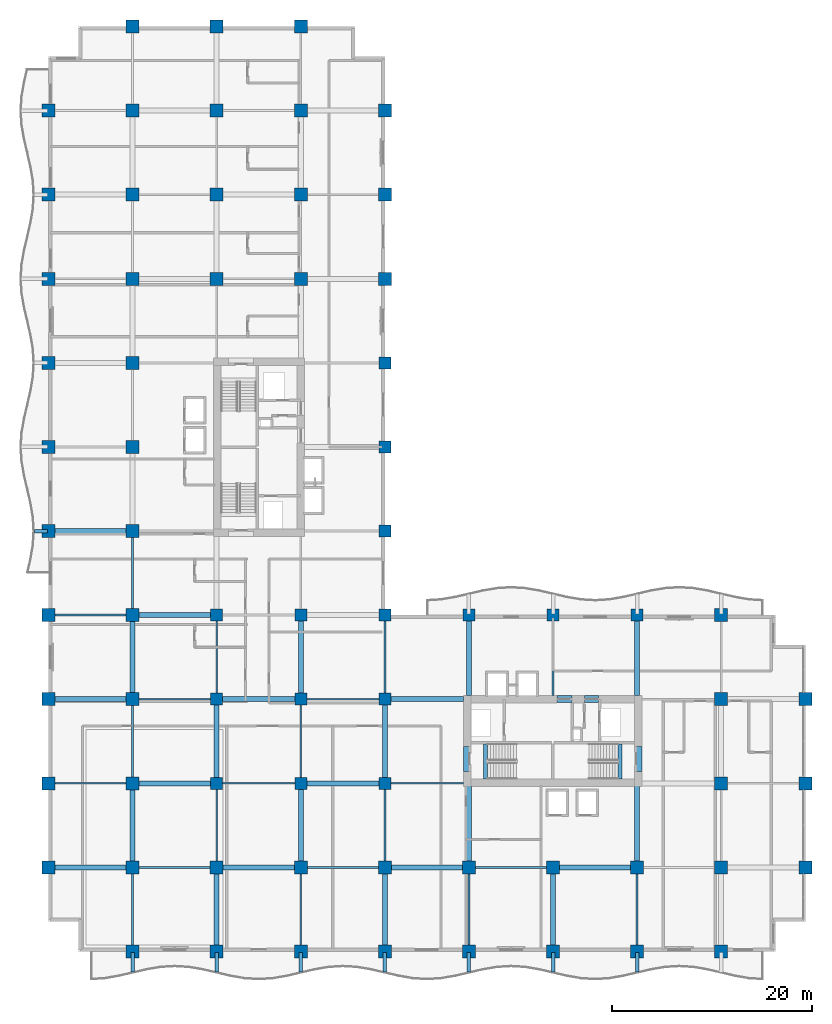
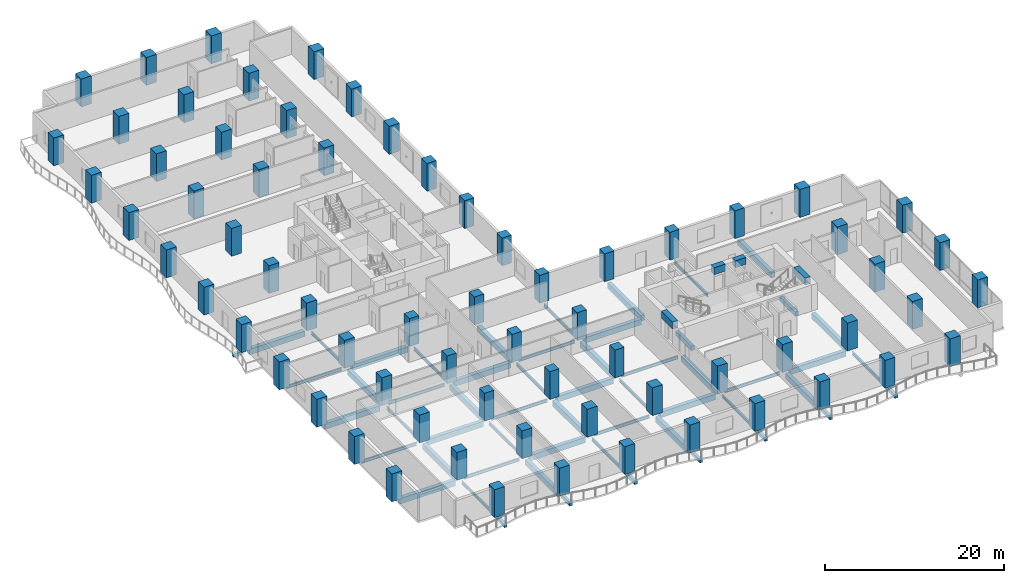
# One storey, part 1 of 24: 68 columns, 59 beams.
"""IFC4 building model written with IfcOpenShell, lengths in metres."""

from ifc_helpers import new_model, si_unit, direction, frame, origin, origin_2d, place, context, subcontext, project, spatial, rectangle, i_section, extrude, material, material_profile, profile_set, type_object, element, save


model = new_model("IFC4")

# Units and contexts
model_context = context("Model", 3, precision=1e-05, world=origin(), true_north=direction((0.0, 1.0)))
body_context = subcontext(model_context, "Body", "Model", "MODEL_VIEW")
ifc_project = project(units=[si_unit("LENGTHUNIT", "METRE"), si_unit("AREAUNIT", "SQUARE_METRE"), si_unit("VOLUMEUNIT", "CUBIC_METRE"), si_unit("PLANEANGLEUNIT", "RADIAN"), si_unit("MASSUNIT", "GRAM", prefix="KILO")], contexts=[model_context])

# Site, building, storey
site_placement = place(None, origin())
site = spatial("IfcSite", under=ifc_project, at=site_placement, CompositionType="ELEMENT")
building_placement = place(site_placement, origin())
building = spatial("IfcBuilding", under=site, at=building_placement, Name="Koriwani Terraces Tower", CompositionType="ELEMENT")
storey_placement = place(building_placement, frame((0.0, 0.0, 149.39990234375)))
storey = spatial("IfcBuildingStorey", under=building, at=storey_placement, Name="L36", CompositionType="ELEMENT", Elevation=149.39990234375)

# Columns
ifc_material_1 = material(Name="Concrete C60/75", Category="concrete")
ifc_material_profile_1 = material_profile(ifc_material_1, rectangle(XDim=1.199951171875, YDim=1.199951171875, at=origin_2d()), Name="Concrete C60/75", Category="LoadBearing")
ifc_profile_set_1 = profile_set([ifc_material_profile_1], Name="Concrete C60/75")
column_type_1 = type_object("IfcColumnType", Name="COL_RC_1200X1200", PredefinedType="COLUMN", material=ifc_profile_set_1)
for number, where, z_axis, x_axis, name in (
    (1, (16.800048828125, 16.800048828125, 0.0), (0.0, 0.0, 1.0), (1.0, 0.0, 0.0), "L36 Column 3/C"),
    (2, (16.800048828125, 25.199951171875, 0.0), (0.0, 0.0, 1.0), (1.0, 0.0, 0.0), "L36 Column 3/D"),
    (3, (16.800048828125, 33.60009765625, 0.0), (0.0, 0.0, 1.0), (1.0, 0.0, 0.0), "L36 Column 3/E"),
    (4, (25.199951171875, 16.800048828125, 0.0), (0.0, 0.0, 1.0), (1.0, 0.0, 0.0), "L36 Column 4/C"),
    (5, (25.199951171875, 25.199951171875, 0.0), (0.0, 0.0, 1.0), (1.0, 0.0, 0.0), "L36 Column 4/D"),
    (6, (25.199951171875, 33.60009765625, 0.0), (0.0, 0.0, 1.0), (1.0, 0.0, 0.0), "L36 Column 4/E"),
    (7, (33.60009765625, 16.800048828125, 0.0), (0.0, 0.0, 1.0), (1.0, 0.0, 0.0), "L36 Column 5/C"),
    (8, (33.60009765625, 25.199951171875, 0.0), (0.0, 0.0, 1.0), (1.0, 0.0, 0.0), "L36 Column 5/D"),
    (9, (33.60009765625, 33.60009765625, 0.0), (0.0, 0.0, 1.0), (1.0, 0.0, 0.0), "L36 Column 5/E"),
    (10, (33.60009765625, 42.0, 0.0), (0.0, 0.0, 1.0), (1.0, 0.0, 0.0), "L36 Column 5/F"),
    (11, (33.60009765625, 50.39990234375, 0.0), (0.0, 0.0, 1.0), (1.0, 0.0, 0.0), "L36 Column 5/G"),
    (12, (33.60009765625, 58.800048828125, 0.0), (0.0, 0.0, 1.0), (1.0, 0.0, 0.0), "L36 Column 5/H"),
    (13, (42.0, 33.60009765625, 0.0), (0.0, 0.0, 1.0), (1.0, 0.0, 0.0), "L36 Column 6/E"),
    (14, (50.39990234375, 33.60009765625, 0.0), (0.0, 0.0, 1.0), (1.0, 0.0, 0.0), "L36 Column 7/E"),
    (15, (58.800048828125, 33.60009765625, 0.0), (0.0, 0.0, 1.0), (1.0, 0.0, 0.0), "L36 Column 8/E"),
):
    element("IfcColumn", number, at=place(storey_placement, frame(where, z_axis=z_axis, x_axis=x_axis)), inside=storey, type_object=column_type_1, Name=name, PredefinedType="COLUMN", context=body_context, shape_type="SweptSolid", body=[
        extrude(rectangle(XDim=1.199951171875, YDim=1.199951171875, at=origin_2d()), origin(), (0.0, 0.0, 1.0), 3.800048828125),
    ])
ifc_material_profile_2 = material_profile(ifc_material_1, rectangle(XDim=1.300048828125, YDim=1.300048828125, at=origin_2d()), Name="Concrete C60/75", Category="LoadBearing")
ifc_profile_set_2 = profile_set([ifc_material_profile_2], Name="Concrete C60/75")
column_type_2 = type_object("IfcColumnType", Name="COL_RC_1300X1300", PredefinedType="COLUMN", material=ifc_profile_set_2)
for number, where, z_axis, x_axis, name in (
    (16, (0.0, 8.39990234375, 0.0), (0.0, 0.0, 1.0), (1.0, 0.0, 0.0), "L36 Column 1/B"),
    (17, (0.0, 16.800048828125, 0.0), (0.0, 0.0, 1.0), (1.0, 0.0, 0.0), "L36 Column 1/C"),
    (18, (0.0, 25.199951171875, 0.0), (0.0, 0.0, 1.0), (1.0, 0.0, 0.0), "L36 Column 1/D"),
    (19, (0.0, 33.60009765625, 0.0), (0.0, 0.0, 1.0), (1.0, 0.0, 0.0), "L36 Column 1/E"),
    (20, (0.0, 42.0, 0.0), (0.0, 0.0, 1.0), (1.0, 0.0, 0.0), "L36 Column 1/F"),
    (21, (0.0, 50.39990234375, 0.0), (0.0, 0.0, 1.0), (1.0, 0.0, 0.0), "L36 Column 1/G"),
    (22, (0.0, 58.800048828125, 0.0), (0.0, 0.0, 1.0), (1.0, 0.0, 0.0), "L36 Column 1/H"),
    (23, (0.0, 67.199951171875, 0.0), (0.0, 0.0, 1.0), (1.0, 0.0, 0.0), "L36 Column 1/I"),
    (24, (0.0, 75.60009765625, 0.0), (0.0, 0.0, 1.0), (1.0, 0.0, 0.0), "L36 Column 1/J"),
    (25, (0.0, 84.0, 0.0), (0.0, 0.0, 1.0), (1.0, 0.0, 0.0), "L36 Column 1/K"),
    (26, (8.39990234375, 0.0, 0.0), (0.0, 0.0, 1.0), (1.0, 0.0, 0.0), "L36 Column 2/A"),
    (27, (8.39990234375, 8.39990234375, 0.0), (0.0, 0.0, 1.0), (1.0, 0.0, 0.0), "L36 Column 2/B"),
    (28, (8.39990234375, 16.800048828125, 0.0), (0.0, 0.0, 1.0), (1.0, 0.0, 0.0), "L36 Column 2/C"),
    (29, (8.39990234375, 25.199951171875, 0.0), (0.0, 0.0, 1.0), (1.0, 0.0, 0.0), "L36 Column 2/D"),
    (30, (8.39990234375, 33.60009765625, 0.0), (0.0, 0.0, 1.0), (1.0, 0.0, 0.0), "L36 Column 2/E"),
    (31, (8.39990234375, 42.0, 0.0), (0.0, 0.0, 1.0), (1.0, 0.0, 0.0), "L36 Column 2/F"),
    (32, (8.39990234375, 50.39990234375, 0.0), (0.0, 0.0, 1.0), (1.0, 0.0, 0.0), "L36 Column 2/G"),
    (33, (8.39990234375, 58.800048828125, 0.0), (0.0, 0.0, 1.0), (1.0, 0.0, 0.0), "L36 Column 2/H"),
    (34, (8.39990234375, 67.199951171875, 0.0), (0.0, 0.0, 1.0), (1.0, 0.0, 0.0), "L36 Column 2/I"),
    (35, (8.39990234375, 75.60009765625, 0.0), (0.0, 0.0, 1.0), (1.0, 0.0, 0.0), "L36 Column 2/J"),
    (36, (8.39990234375, 84.0, 0.0), (0.0, 0.0, 1.0), (1.0, 0.0, 0.0), "L36 Column 2/K"),
    (37, (8.39990234375, 92.39990234375, 0.0), (0.0, 0.0, 1.0), (1.0, 0.0, 0.0), "L36 Column 2/L"),
    (38, (16.800048828125, 0.0, 0.0), (0.0, 0.0, 1.0), (1.0, 0.0, 0.0), "L36 Column 3/A"),
    (39, (16.800048828125, 8.39990234375, 0.0), (0.0, 0.0, 1.0), (1.0, 0.0, 0.0), "L36 Column 3/B"),
    (40, (16.800048828125, 67.199951171875, 0.0), (0.0, 0.0, 1.0), (1.0, 0.0, 0.0), "L36 Column 3/I"),
    (41, (16.800048828125, 75.60009765625, 0.0), (0.0, 0.0, 1.0), (1.0, 0.0, 0.0), "L36 Column 3/J"),
    (42, (16.800048828125, 84.0, 0.0), (0.0, 0.0, 1.0), (1.0, 0.0, 0.0), "L36 Column 3/K"),
    (43, (16.800048828125, 92.39990234375, 0.0), (0.0, 0.0, 1.0), (1.0, 0.0, 0.0), "L36 Column 3/L"),
    (44, (25.199951171875, 0.0, 0.0), (0.0, 0.0, 1.0), (1.0, 0.0, 0.0), "L36 Column 4/A"),
    (45, (25.199951171875, 8.39990234375, 0.0), (0.0, 0.0, 1.0), (1.0, 0.0, 0.0), "L36 Column 4/B"),
    (46, (25.199951171875, 67.199951171875, 0.0), (0.0, 0.0, 1.0), (1.0, 0.0, 0.0), "L36 Column 4/I"),
    (47, (25.199951171875, 75.60009765625, 0.0), (0.0, 0.0, 1.0), (1.0, 0.0, 0.0), "L36 Column 4/J"),
    (48, (25.199951171875, 84.0, 0.0), (0.0, 0.0, 1.0), (1.0, 0.0, 0.0), "L36 Column 4/K"),
    (49, (25.199951171875, 92.39990234375, 0.0), (0.0, 0.0, 1.0), (1.0, 0.0, 0.0), "L36 Column 4/L"),
    (50, (33.60009765625, 0.0, 0.0), (0.0, 0.0, 1.0), (1.0, 0.0, 0.0), "L36 Column 5/A"),
    (51, (33.60009765625, 8.39990234375, 0.0), (0.0, 0.0, 1.0), (1.0, 0.0, 0.0), "L36 Column 5/B"),
    (52, (33.60009765625, 67.199951171875, 0.0), (0.0, 0.0, 1.0), (1.0, 0.0, 0.0), "L36 Column 5/I"),
    (53, (33.60009765625, 75.60009765625, 0.0), (0.0, 0.0, 1.0), (1.0, 0.0, 0.0), "L36 Column 5/J"),
    (54, (33.60009765625, 84.0, 0.0), (0.0, 0.0, 1.0), (1.0, 0.0, 0.0), "L36 Column 5/K"),
    (55, (42.0, 0.0, 0.0), (0.0, 0.0, 1.0), (1.0, 0.0, 0.0), "L36 Column 6/A"),
    (56, (42.0, 8.39990234375, 0.0), (0.0, 0.0, 1.0), (1.0, 0.0, 0.0), "L36 Column 6/B"),
    (57, (50.39990234375, 0.0, 0.0), (0.0, 0.0, 1.0), (1.0, 0.0, 0.0), "L36 Column 7/A"),
    (58, (50.39990234375, 8.39990234375, 0.0), (0.0, 0.0, 1.0), (1.0, 0.0, 0.0), "L36 Column 7/B"),
    (59, (58.800048828125, 0.0, 0.0), (0.0, 0.0, 1.0), (1.0, 0.0, 0.0), "L36 Column 8/A"),
    (60, (58.800048828125, 8.39990234375, 0.0), (0.0, 0.0, 1.0), (1.0, 0.0, 0.0), "L36 Column 8/B"),
    (61, (67.199951171875, 0.0, 0.0), (0.0, 0.0, 1.0), (1.0, 0.0, 0.0), "L36 Column 9/A"),
    (62, (67.199951171875, 8.39990234375, 0.0), (0.0, 0.0, 1.0), (1.0, 0.0, 0.0), "L36 Column 9/B"),
    (63, (67.199951171875, 16.800048828125, 0.0), (0.0, 0.0, 1.0), (1.0, 0.0, 0.0), "L36 Column 9/C"),
    (64, (67.199951171875, 25.199951171875, 0.0), (0.0, 0.0, 1.0), (1.0, 0.0, 0.0), "L36 Column 9/D"),
    (65, (67.199951171875, 33.60009765625, 0.0), (0.0, 0.0, 1.0), (1.0, 0.0, 0.0), "L36 Column 9/E"),
    (66, (75.60009765625, 8.39990234375, 0.0), (0.0, 0.0, 1.0), (1.0, 0.0, 0.0), "L36 Column 10/B"),
    (67, (75.60009765625, 16.800048828125, 0.0), (0.0, 0.0, 1.0), (1.0, 0.0, 0.0), "L36 Column 10/C"),
    (68, (75.60009765625, 25.199951171875, 0.0), (0.0, 0.0, 1.0), (1.0, 0.0, 0.0), "L36 Column 10/D"),
):
    element("IfcColumn", number, at=place(storey_placement, frame(where, z_axis=z_axis, x_axis=x_axis)), inside=storey, type_object=column_type_2, Name=name, PredefinedType="COLUMN", context=body_context, shape_type="SweptSolid", body=[
        extrude(rectangle(XDim=1.300048828125, YDim=1.300048828125, at=origin_2d()), origin(), (0.0, 0.0, 1.0), 3.800048828125),
    ])

# Beams
ifc_material_2 = material(Name="Concrete C40/50", Category="concrete")
ifc_material_profile_3 = material_profile(ifc_material_2, rectangle(XDim=0.35009765625, YDim=0.449951171875, at=origin_2d()), Name="Concrete C40/50", Category="LoadBearing")
ifc_profile_set_3 = profile_set([ifc_material_profile_3], Name="Concrete C40/50")
beam_type_1 = type_object("IfcBeamType", Name="BEAM_RC_BALCONY_RIB_350X450", PredefinedType="JOIST", material=ifc_profile_set_3)
for number, where, z_axis, x_axis, name in (
    (69, (8.39990234375, -2.050048828125, -0.474853515625), (0.0, 1.0, 0.0), (-1.0, 0.0, 0.0), "L36 Balcony Bracket Rib S-1"),
    (70, (16.800048828125, -2.050048828125, -0.474853515625), (0.0, 1.0, 0.0), (-1.0, 0.0, 0.0), "L36 Balcony Bracket Rib S-2"),
    (71, (25.199951171875, -2.050048828125, -0.474853515625), (0.0, 1.0, 0.0), (-1.0, 0.0, 0.0), "L36 Balcony Bracket Rib S-3"),
    (72, (33.60009765625, -2.050048828125, -0.474853515625), (0.0, 1.0, 0.0), (-1.0, 0.0, 0.0), "L36 Balcony Bracket Rib S-4"),
    (73, (42.0, -2.050048828125, -0.474853515625), (0.0, 1.0, 0.0), (-1.0, 0.0, 0.0), "L36 Balcony Bracket Rib S-5"),
    (74, (50.39990234375, -2.050048828125, -0.474853515625), (0.0, 1.0, 0.0), (-1.0, 0.0, 0.0), "L36 Balcony Bracket Rib S-6"),
    (75, (58.800048828125, -2.050048828125, -0.474853515625), (0.0, 1.0, 0.0), (-1.0, 0.0, 0.0), "L36 Balcony Bracket Rib S-7"),
):
    element("IfcBeam", number, at=place(storey_placement, frame(where, z_axis=z_axis, x_axis=x_axis)), inside=storey, type_object=beam_type_1, Name=name, PredefinedType="JOIST", context=body_context, shape_type="SweptSolid", body=[
        extrude(rectangle(XDim=0.35009765625, YDim=0.449951171875, at=origin_2d()), origin(), (0.0, 0.0, 1.0), 1.949951171875),
    ])
beam_1_placement = place(storey_placement, frame((-1.39990234375, 42.0, -0.474853515625), z_axis=(1.0, 0.0, 0.0), x_axis=(0.0, 1.0, 0.0)))
element("IfcBeam", 76, at=beam_1_placement, inside=storey, type_object=beam_type_1, Name="L36 Balcony Bracket Rib W-1", PredefinedType="JOIST", context=body_context, shape_type="SweptSolid", body=[
    extrude(rectangle(XDim=0.35009765625, YDim=0.449951171875, at=origin_2d()), origin(), (0.0, 0.0, 1.0), 1.2998046875),
])
ifc_material_profile_4 = material_profile(ifc_material_1, rectangle(XDim=0.699951171875, YDim=0.949951171875, at=origin_2d()), Name="Concrete C60/75", Category="LoadBearing")
ifc_profile_set_4 = profile_set([ifc_material_profile_4], Name="Concrete C60/75")
beam_type_2 = type_object("IfcBeamType", Name="BEAM_RC_COUPLING_700X950", PredefinedType="LINTEL", material=ifc_profile_set_4)
beam_2_placement = place(storey_placement, frame((50.800048828125, 25.199951171875, 3.0751953125), z_axis=(1.0, 0.0, 0.0), x_axis=(0.0, 1.0, 0.0)))
element("IfcBeam", 77, at=beam_2_placement, inside=storey, type_object=beam_type_2, Name="L36 Core Coupling Lintel Beam EN1", PredefinedType="LINTEL", context=body_context, shape_type="SweptSolid", body=[
    extrude(rectangle(XDim=0.699951171875, YDim=0.949951171875, at=origin_2d()), origin(), (0.0, 0.0, 1.0), 1.47998046875),
])
beam_3_placement = place(storey_placement, frame((53.550048828125, 25.199951171875, 3.0751953125), z_axis=(1.0, 0.0, 0.0), x_axis=(0.0, 1.0, 0.0)))
element("IfcBeam", 78, at=beam_3_placement, inside=storey, type_object=beam_type_2, Name="L36 Core Coupling Lintel Beam EN2", PredefinedType="LINTEL", context=body_context, shape_type="SweptSolid", body=[
    extrude(rectangle(XDim=0.699951171875, YDim=0.949951171875, at=origin_2d()), origin(), (0.0, 0.0, 1.0), 1.39990234375),
])
for number, where, z_axis, x_axis, name in (
    (79, (41.824951171875, 18.0, 3.0751953125), (0.0, 1.0, 0.0), (-1.0, 0.0, 0.0), "L36 Core Coupling Lintel Beam EW"),
    (80, (58.925048828125, 18.0, 3.0751953125), (0.0, 1.0, 0.0), (-1.0, 0.0, 0.0), "L36 Core Coupling Lintel Beam EE"),
):
    element("IfcBeam", number, at=place(storey_placement, frame(where, z_axis=z_axis, x_axis=x_axis)), inside=storey, type_object=beam_type_2, Name=name, PredefinedType="LINTEL", context=body_context, shape_type="SweptSolid", body=[
        extrude(rectangle(XDim=0.699951171875, YDim=0.949951171875, at=origin_2d()), origin(), (0.0, 0.0, 1.0), 2.5),
    ])
ifc_material_profile_5 = material_profile(ifc_material_2, rectangle(XDim=0.39990234375, YDim=0.60009765625, at=origin_2d()), Name="Concrete C40/50", Category="LoadBearing")
ifc_profile_set_5 = profile_set([ifc_material_profile_5], Name="Concrete C40/50")
beam_type_3 = type_object("IfcBeamType", Name="BEAM_RC_GRID_400X600", PredefinedType="BEAM", material=ifc_profile_set_5)
for number, where, z_axis, x_axis, name in (
    (81, (43.655029296875, 17.25, -0.2998046875), (0.0, 1.0, 0.0), (-1.0, 0.0, 0.0), "L36 Stairwell Header Trimmer Beam ST-E1"),
    (82, (57.094970703125, 17.25, -0.2998046875), (0.0, 1.0, 0.0), (-1.0, 0.0, 0.0), "L36 Stairwell Header Trimmer Beam ST-E2"),
):
    element("IfcBeam", number, at=place(storey_placement, frame(where, z_axis=z_axis, x_axis=x_axis)), inside=storey, type_object=beam_type_3, Name=name, PredefinedType="BEAM", context=body_context, shape_type="SweptSolid", body=[
        extrude(rectangle(XDim=0.39990234375, YDim=0.60009765625, at=origin_2d()), origin(), (0.0, 0.0, 1.0), 3.5),
    ])
ifc_material_3 = material(Name="Concrete C50/60", Category="concrete")
ifc_material_profile_6 = material_profile(ifc_material_3, rectangle(XDim=0.5, YDim=0.75, at=origin_2d()), Name="Concrete C50/60", Category="LoadBearing")
ifc_profile_set_6 = profile_set([ifc_material_profile_6], Name="Concrete C50/60")
beam_type_4 = type_object("IfcBeamType", Name="BEAM_RC_GRID_500X750", PredefinedType="BEAM", material=ifc_profile_set_6)
for number, where, z_axis, x_axis, name in (
    (83, (0.6298828125, 8.39990234375, -0.625), (1.0, 0.0, 0.0), (0.0, 1.0, 0.0), "L36 Grid Beam B (0.0-8.4m)"),
    (84, (17.429931640625, 8.39990234375, -0.625), (1.0, 0.0, 0.0), (0.0, 1.0, 0.0), "L36 Grid Beam B (16.8-25.2m)"),
    (85, (34.22998046875, 8.39990234375, -0.625), (1.0, 0.0, 0.0), (0.0, 1.0, 0.0), "L36 Grid Beam B (33.6-42.0m)"),
):
    element("IfcBeam", number, at=place(storey_placement, frame(where, z_axis=z_axis, x_axis=x_axis)), inside=storey, type_object=beam_type_4, Name=name, PredefinedType="BEAM", context=body_context, shape_type="SweptSolid", body=[
        extrude(rectangle(XDim=0.5, YDim=0.75, at=origin_2d()), origin(), (0.0, 0.0, 1.0), 7.14013671875),
    ])
beam_4_placement = place(storey_placement, frame((51.030029296875, 8.39990234375, -0.625), z_axis=(1.0, 0.0, 0.0), x_axis=(0.0, 1.0, 0.0)))
element("IfcBeam", 86, at=beam_4_placement, inside=storey, type_object=beam_type_4, Name="L36 Grid Beam B (50.4-58.8m)", PredefinedType="BEAM", context=body_context, shape_type="SweptSolid", body=[
    extrude(rectangle(XDim=0.5, YDim=0.75, at=origin_2d()), origin(), (0.0, 0.0, 1.0), 7.139892578125),
])
beam_5_placement = place(storey_placement, frame((9.030029296875, 16.800048828125, -0.625), z_axis=(1.0, 0.0, 0.0), x_axis=(0.0, 1.0, 0.0)))
element("IfcBeam", 87, at=beam_5_placement, inside=storey, type_object=beam_type_4, Name="L36 Grid Beam C (8.4-16.8m)", PredefinedType="BEAM", context=body_context, shape_type="SweptSolid", body=[
    extrude(rectangle(XDim=0.5, YDim=0.75, at=origin_2d()), origin(), (0.0, 0.0, 1.0), 7.18994140625),
])
beam_6_placement = place(storey_placement, frame((25.780029296875, 16.800048828125, -0.625), z_axis=(1.0, 0.0, 0.0), x_axis=(0.0, 1.0, 0.0)))
element("IfcBeam", 88, at=beam_6_placement, inside=storey, type_object=beam_type_4, Name="L36 Grid Beam C (25.2-33.6m)", PredefinedType="BEAM", context=body_context, shape_type="SweptSolid", body=[
    extrude(rectangle(XDim=0.5, YDim=0.75, at=origin_2d()), origin(), (0.0, 0.0, 1.0), 7.239990234375),
])
beam_7_placement = place(storey_placement, frame((0.6298828125, 25.199951171875, -0.625), z_axis=(1.0, 0.0, 0.0), x_axis=(0.0, 1.0, 0.0)))
element("IfcBeam", 89, at=beam_7_placement, inside=storey, type_object=beam_type_4, Name="L36 Grid Beam D (0.0-8.4m)", PredefinedType="BEAM", context=body_context, shape_type="SweptSolid", body=[
    extrude(rectangle(XDim=0.5, YDim=0.75, at=origin_2d()), origin(), (0.0, 0.0, 1.0), 7.14013671875),
])
beam_8_placement = place(storey_placement, frame((17.3798828125, 25.199951171875, -0.625), z_axis=(1.0, 0.0, 0.0), x_axis=(0.0, 1.0, 0.0)))
element("IfcBeam", 90, at=beam_8_placement, inside=storey, type_object=beam_type_4, Name="L36 Grid Beam D (16.8-25.2m)", PredefinedType="BEAM", context=body_context, shape_type="SweptSolid", body=[
    extrude(rectangle(XDim=0.5, YDim=0.75, at=origin_2d()), origin(), (0.0, 0.0, 1.0), 7.240234375),
])
beam_9_placement = place(storey_placement, frame((34.179931640625, 25.199951171875, -0.625), z_axis=(1.0, 0.0, 0.0), x_axis=(0.0, 1.0, 0.0)))
element("IfcBeam", 91, at=beam_9_placement, inside=storey, type_object=beam_type_4, Name="L36 Grid Beam D (33.6-42.0m)", PredefinedType="BEAM", context=body_context, shape_type="SweptSolid", body=[
    extrude(rectangle(XDim=0.5, YDim=0.75, at=origin_2d()), origin(), (0.0, 0.0, 1.0), 7.2900390625),
])
beam_10_placement = place(storey_placement, frame((9.030029296875, 33.60009765625, -0.625), z_axis=(1.0, 0.0, 0.0), x_axis=(0.0, 1.0, 0.0)))
element("IfcBeam", 92, at=beam_10_placement, inside=storey, type_object=beam_type_4, Name="L36 Grid Beam E (8.4-16.8m)", PredefinedType="BEAM", context=body_context, shape_type="SweptSolid", body=[
    extrude(rectangle(XDim=0.5, YDim=0.75, at=origin_2d()), origin(), (0.0, 0.0, 1.0), 7.18994140625),
])
beam_11_placement = place(storey_placement, frame((0.6298828125, 42.0, -0.625), z_axis=(1.0, 0.0, 0.0), x_axis=(0.0, 1.0, 0.0)))
element("IfcBeam", 93, at=beam_11_placement, inside=storey, type_object=beam_type_4, Name="L36 Grid Beam F (0.0-8.4m)", PredefinedType="BEAM", context=body_context, shape_type="SweptSolid", body=[
    extrude(rectangle(XDim=0.5, YDim=0.75, at=origin_2d()), origin(), (0.0, 0.0, 1.0), 7.14013671875),
])
for number, where, z_axis, x_axis, name in (
    (94, (8.39990234375, 9.030029296875, -0.625), (0.0, 1.0, 0.0), (-1.0, 0.0, 0.0), "L36 Grid Beam 2 (8.4-16.8m)"),
    (95, (8.39990234375, 25.830078125, -0.625), (0.0, 1.0, 0.0), (-1.0, 0.0, 0.0), "L36 Grid Beam 2 (25.2-33.6m)"),
):
    element("IfcBeam", number, at=place(storey_placement, frame(where, z_axis=z_axis, x_axis=x_axis)), inside=storey, type_object=beam_type_4, Name=name, PredefinedType="BEAM", context=body_context, shape_type="SweptSolid", body=[
        extrude(rectangle(XDim=0.5, YDim=0.75, at=origin_2d()), origin(), (0.0, 0.0, 1.0), 7.139892578125),
    ])
beam_12_placement = place(storey_placement, frame((16.800048828125, 0.6298828125, -0.625), z_axis=(0.0, 1.0, 0.0), x_axis=(-1.0, 0.0, 0.0)))
element("IfcBeam", 96, at=beam_12_placement, inside=storey, type_object=beam_type_4, Name="L36 Grid Beam 3 (0.0-8.4m)", PredefinedType="BEAM", context=body_context, shape_type="SweptSolid", body=[
    extrude(rectangle(XDim=0.5, YDim=0.75, at=origin_2d()), origin(), (0.0, 0.0, 1.0), 7.14013671875),
])
beam_13_placement = place(storey_placement, frame((16.800048828125, 17.3798828125, -0.625), z_axis=(0.0, 1.0, 0.0), x_axis=(-1.0, 0.0, 0.0)))
element("IfcBeam", 97, at=beam_13_placement, inside=storey, type_object=beam_type_4, Name="L36 Grid Beam 3 (16.8-25.2m)", PredefinedType="BEAM", context=body_context, shape_type="SweptSolid", body=[
    extrude(rectangle(XDim=0.5, YDim=0.75, at=origin_2d()), origin(), (0.0, 0.0, 1.0), 7.240234375),
])
beam_14_placement = place(storey_placement, frame((25.199951171875, 9.030029296875, -0.625), z_axis=(0.0, 1.0, 0.0), x_axis=(-1.0, 0.0, 0.0)))
element("IfcBeam", 98, at=beam_14_placement, inside=storey, type_object=beam_type_4, Name="L36 Grid Beam 4 (8.4-16.8m)", PredefinedType="BEAM", context=body_context, shape_type="SweptSolid", body=[
    extrude(rectangle(XDim=0.5, YDim=0.75, at=origin_2d()), origin(), (0.0, 0.0, 1.0), 7.18994140625),
])
beam_15_placement = place(storey_placement, frame((25.199951171875, 25.780029296875, -0.625), z_axis=(0.0, 1.0, 0.0), x_axis=(-1.0, 0.0, 0.0)))
element("IfcBeam", 99, at=beam_15_placement, inside=storey, type_object=beam_type_4, Name="L36 Grid Beam 4 (25.2-33.6m)", PredefinedType="BEAM", context=body_context, shape_type="SweptSolid", body=[
    extrude(rectangle(XDim=0.5, YDim=0.75, at=origin_2d()), origin(), (0.0, 0.0, 1.0), 7.239990234375),
])
beam_16_placement = place(storey_placement, frame((33.60009765625, 0.6298828125, -0.625), z_axis=(0.0, 1.0, 0.0), x_axis=(-1.0, 0.0, 0.0)))
element("IfcBeam", 100, at=beam_16_placement, inside=storey, type_object=beam_type_4, Name="L36 Grid Beam 5 (0.0-8.4m)", PredefinedType="BEAM", context=body_context, shape_type="SweptSolid", body=[
    extrude(rectangle(XDim=0.5, YDim=0.75, at=origin_2d()), origin(), (0.0, 0.0, 1.0), 7.14013671875),
])
beam_17_placement = place(storey_placement, frame((33.60009765625, 17.3798828125, -0.625), z_axis=(0.0, 1.0, 0.0), x_axis=(-1.0, 0.0, 0.0)))
element("IfcBeam", 101, at=beam_17_placement, inside=storey, type_object=beam_type_4, Name="L36 Grid Beam 5 (16.8-25.2m)", PredefinedType="BEAM", context=body_context, shape_type="SweptSolid", body=[
    extrude(rectangle(XDim=0.5, YDim=0.75, at=origin_2d()), origin(), (0.0, 0.0, 1.0), 7.240234375),
])
beam_18_placement = place(storey_placement, frame((42.0, 9.030029296875, -0.625), z_axis=(0.0, 1.0, 0.0), x_axis=(-1.0, 0.0, 0.0)))
element("IfcBeam", 102, at=beam_18_placement, inside=storey, type_object=beam_type_4, Name="L36 Grid Beam 6 (8.4-16.8m)", PredefinedType="BEAM", context=body_context, shape_type="SweptSolid", body=[
    extrude(rectangle(XDim=0.5, YDim=0.75, at=origin_2d()), origin(), (0.0, 0.0, 1.0), 7.489990234375),
])
beam_19_placement = place(storey_placement, frame((42.0, 25.554931640625, -0.625), z_axis=(0.0, 1.0, 0.0), x_axis=(-1.0, 0.0, 0.0)))
element("IfcBeam", 103, at=beam_19_placement, inside=storey, type_object=beam_type_4, Name="L36 Grid Beam 6 (25.2-33.6m)", PredefinedType="BEAM", context=body_context, shape_type="SweptSolid", body=[
    extrude(rectangle(XDim=0.5, YDim=0.75, at=origin_2d()), origin(), (0.0, 0.0, 1.0), 7.465087890625),
])
beam_20_placement = place(storey_placement, frame((50.39990234375, 0.6298828125, -0.625), z_axis=(0.0, 1.0, 0.0), x_axis=(-1.0, 0.0, 0.0)))
element("IfcBeam", 104, at=beam_20_placement, inside=storey, type_object=beam_type_4, Name="L36 Grid Beam 7 (0.0-8.4m)", PredefinedType="BEAM", context=body_context, shape_type="SweptSolid", body=[
    extrude(rectangle(XDim=0.5, YDim=0.75, at=origin_2d()), origin(), (0.0, 0.0, 1.0), 7.14013671875),
])
beam_21_placement = place(storey_placement, frame((58.800048828125, 9.030029296875, -0.625), z_axis=(0.0, 1.0, 0.0), x_axis=(-1.0, 0.0, 0.0)))
element("IfcBeam", 105, at=beam_21_placement, inside=storey, type_object=beam_type_4, Name="L36 Grid Beam 8 (8.4-16.8m)", PredefinedType="BEAM", context=body_context, shape_type="SweptSolid", body=[
    extrude(rectangle(XDim=0.5, YDim=0.75, at=origin_2d()), origin(), (0.0, 0.0, 1.0), 7.489990234375),
])
beam_22_placement = place(storey_placement, frame((58.800048828125, 25.554931640625, -0.625), z_axis=(0.0, 1.0, 0.0), x_axis=(-1.0, 0.0, 0.0)))
element("IfcBeam", 106, at=beam_22_placement, inside=storey, type_object=beam_type_4, Name="L36 Grid Beam 8 (25.2-33.6m)", PredefinedType="BEAM", context=body_context, shape_type="SweptSolid", body=[
    extrude(rectangle(XDim=0.5, YDim=0.75, at=origin_2d()), origin(), (0.0, 0.0, 1.0), 7.465087890625),
])
ifc_material_4 = material(Name="Steel ASTM A572 Grade 50", Category="steel")
ifc_material_profile_7 = material_profile(ifc_material_4, i_section(OverallWidth=0.180908203125, OverallDepth=0.4169921875, WebThickness=0.010986328125, FlangeThickness=0.018310546875, at=origin_2d()), Name="Steel ASTM A572 Grade 50", Category="LoadBearing")
ifc_profile_set_7 = profile_set([ifc_material_profile_7], Name="Steel ASTM A572 Grade 50")
beam_type_5 = type_object("IfcBeamType", Name="STEEL_BEAM_W410X85", PredefinedType="JOIST", material=ifc_profile_set_7)
for number, where, z_axis, x_axis, name in (
    (107, (9.030029296875, 8.39990234375, -0.45849609375), (1.0, 0.0, 0.0), (0.0, 1.0, 0.0), "L36 Grid Beam B (8.4-16.8m)"),
    (108, (25.830078125, 8.39990234375, -0.45849609375), (1.0, 0.0, 0.0), (0.0, 1.0, 0.0), "L36 Grid Beam B (25.2-33.6m)"),
):
    element("IfcBeam", number, at=place(storey_placement, frame(where, z_axis=z_axis, x_axis=x_axis)), inside=storey, type_object=beam_type_5, Name=name, PredefinedType="JOIST", context=body_context, shape_type="SweptSolid", body=[
        extrude(i_section(OverallWidth=0.180908203125, OverallDepth=0.4169921875, WebThickness=0.010986328125, FlangeThickness=0.018310546875, at=origin_2d()), origin(), (0.0, 0.0, 1.0), 7.139892578125),
    ])
for number, where, z_axis, x_axis, name in (
    (109, (42.6298828125, 8.39990234375, -0.45849609375), (1.0, 0.0, 0.0), (0.0, 1.0, 0.0), "L36 Grid Beam B (42.0-50.4m)"),
    (110, (0.6298828125, 16.800048828125, -0.45849609375), (1.0, 0.0, 0.0), (0.0, 1.0, 0.0), "L36 Grid Beam C (0.0-8.4m)"),
):
    element("IfcBeam", number, at=place(storey_placement, frame(where, z_axis=z_axis, x_axis=x_axis)), inside=storey, type_object=beam_type_5, Name=name, PredefinedType="JOIST", context=body_context, shape_type="SweptSolid", body=[
        extrude(i_section(OverallWidth=0.180908203125, OverallDepth=0.4169921875, WebThickness=0.010986328125, FlangeThickness=0.018310546875, at=origin_2d()), origin(), (0.0, 0.0, 1.0), 7.14013671875),
    ])
beam_23_placement = place(storey_placement, frame((17.3798828125, 16.800048828125, -0.45849609375), z_axis=(1.0, 0.0, 0.0), x_axis=(0.0, 1.0, 0.0)))
element("IfcBeam", 111, at=beam_23_placement, inside=storey, type_object=beam_type_5, Name="L36 Grid Beam C (16.8-25.2m)", PredefinedType="JOIST", context=body_context, shape_type="SweptSolid", body=[
    extrude(i_section(OverallWidth=0.180908203125, OverallDepth=0.4169921875, WebThickness=0.010986328125, FlangeThickness=0.018310546875, at=origin_2d()), origin(), (0.0, 0.0, 1.0), 7.240234375),
])
beam_24_placement = place(storey_placement, frame((34.179931640625, 16.800048828125, -0.45849609375), z_axis=(1.0, 0.0, 0.0), x_axis=(0.0, 1.0, 0.0)))
element("IfcBeam", 112, at=beam_24_placement, inside=storey, type_object=beam_type_5, Name="L36 Grid Beam C (33.6-42.0m)", PredefinedType="JOIST", context=body_context, shape_type="SweptSolid", body=[
    extrude(i_section(OverallWidth=0.180908203125, OverallDepth=0.4169921875, WebThickness=0.010986328125, FlangeThickness=0.018310546875, at=origin_2d()), origin(), (0.0, 0.0, 1.0), 7.2900390625),
])
beam_25_placement = place(storey_placement, frame((9.030029296875, 25.199951171875, -0.45849609375), z_axis=(1.0, 0.0, 0.0), x_axis=(0.0, 1.0, 0.0)))
element("IfcBeam", 113, at=beam_25_placement, inside=storey, type_object=beam_type_5, Name="L36 Grid Beam D (8.4-16.8m)", PredefinedType="JOIST", context=body_context, shape_type="SweptSolid", body=[
    extrude(i_section(OverallWidth=0.180908203125, OverallDepth=0.4169921875, WebThickness=0.010986328125, FlangeThickness=0.018310546875, at=origin_2d()), origin(), (0.0, 0.0, 1.0), 7.18994140625),
])
beam_26_placement = place(storey_placement, frame((25.780029296875, 25.199951171875, -0.45849609375), z_axis=(1.0, 0.0, 0.0), x_axis=(0.0, 1.0, 0.0)))
element("IfcBeam", 114, at=beam_26_placement, inside=storey, type_object=beam_type_5, Name="L36 Grid Beam D (25.2-33.6m)", PredefinedType="JOIST", context=body_context, shape_type="SweptSolid", body=[
    extrude(i_section(OverallWidth=0.180908203125, OverallDepth=0.4169921875, WebThickness=0.010986328125, FlangeThickness=0.018310546875, at=origin_2d()), origin(), (0.0, 0.0, 1.0), 7.239990234375),
])
for number, where, z_axis, x_axis, name in (
    (115, (0.6298828125, 33.60009765625, -0.45849609375), (1.0, 0.0, 0.0), (0.0, 1.0, 0.0), "L36 Grid Beam E (0.0-8.4m)"),
    (116, (8.39990234375, 0.6298828125, -0.45849609375), (0.0, 1.0, 0.0), (-1.0, 0.0, 0.0), "L36 Grid Beam 2 (0.0-8.4m)"),
    (117, (8.39990234375, 17.429931640625, -0.45849609375), (0.0, 1.0, 0.0), (-1.0, 0.0, 0.0), "L36 Grid Beam 2 (16.8-25.2m)"),
    (118, (8.39990234375, 34.22998046875, -0.45849609375), (0.0, 1.0, 0.0), (-1.0, 0.0, 0.0), "L36 Grid Beam 2 (33.6-42.0m)"),
):
    element("IfcBeam", number, at=place(storey_placement, frame(where, z_axis=z_axis, x_axis=x_axis)), inside=storey, type_object=beam_type_5, Name=name, PredefinedType="JOIST", context=body_context, shape_type="SweptSolid", body=[
        extrude(i_section(OverallWidth=0.180908203125, OverallDepth=0.4169921875, WebThickness=0.010986328125, FlangeThickness=0.018310546875, at=origin_2d()), origin(), (0.0, 0.0, 1.0), 7.14013671875),
    ])
beam_27_placement = place(storey_placement, frame((16.800048828125, 9.030029296875, -0.45849609375), z_axis=(0.0, 1.0, 0.0), x_axis=(-1.0, 0.0, 0.0)))
element("IfcBeam", 119, at=beam_27_placement, inside=storey, type_object=beam_type_5, Name="L36 Grid Beam 3 (8.4-16.8m)", PredefinedType="JOIST", context=body_context, shape_type="SweptSolid", body=[
    extrude(i_section(OverallWidth=0.180908203125, OverallDepth=0.4169921875, WebThickness=0.010986328125, FlangeThickness=0.018310546875, at=origin_2d()), origin(), (0.0, 0.0, 1.0), 7.18994140625),
])
beam_28_placement = place(storey_placement, frame((16.800048828125, 25.780029296875, -0.45849609375), z_axis=(0.0, 1.0, 0.0), x_axis=(-1.0, 0.0, 0.0)))
element("IfcBeam", 120, at=beam_28_placement, inside=storey, type_object=beam_type_5, Name="L36 Grid Beam 3 (25.2-33.6m)", PredefinedType="JOIST", context=body_context, shape_type="SweptSolid", body=[
    extrude(i_section(OverallWidth=0.180908203125, OverallDepth=0.4169921875, WebThickness=0.010986328125, FlangeThickness=0.018310546875, at=origin_2d()), origin(), (0.0, 0.0, 1.0), 7.239990234375),
])
beam_29_placement = place(storey_placement, frame((25.199951171875, 0.6298828125, -0.45849609375), z_axis=(0.0, 1.0, 0.0), x_axis=(-1.0, 0.0, 0.0)))
element("IfcBeam", 121, at=beam_29_placement, inside=storey, type_object=beam_type_5, Name="L36 Grid Beam 4 (0.0-8.4m)", PredefinedType="JOIST", context=body_context, shape_type="SweptSolid", body=[
    extrude(i_section(OverallWidth=0.180908203125, OverallDepth=0.4169921875, WebThickness=0.010986328125, FlangeThickness=0.018310546875, at=origin_2d()), origin(), (0.0, 0.0, 1.0), 7.14013671875),
])
beam_30_placement = place(storey_placement, frame((25.199951171875, 17.3798828125, -0.45849609375), z_axis=(0.0, 1.0, 0.0), x_axis=(-1.0, 0.0, 0.0)))
element("IfcBeam", 122, at=beam_30_placement, inside=storey, type_object=beam_type_5, Name="L36 Grid Beam 4 (16.8-25.2m)", PredefinedType="JOIST", context=body_context, shape_type="SweptSolid", body=[
    extrude(i_section(OverallWidth=0.180908203125, OverallDepth=0.4169921875, WebThickness=0.010986328125, FlangeThickness=0.018310546875, at=origin_2d()), origin(), (0.0, 0.0, 1.0), 7.240234375),
])
beam_31_placement = place(storey_placement, frame((33.60009765625, 9.030029296875, -0.45849609375), z_axis=(0.0, 1.0, 0.0), x_axis=(-1.0, 0.0, 0.0)))
element("IfcBeam", 123, at=beam_31_placement, inside=storey, type_object=beam_type_5, Name="L36 Grid Beam 5 (8.4-16.8m)", PredefinedType="JOIST", context=body_context, shape_type="SweptSolid", body=[
    extrude(i_section(OverallWidth=0.180908203125, OverallDepth=0.4169921875, WebThickness=0.010986328125, FlangeThickness=0.018310546875, at=origin_2d()), origin(), (0.0, 0.0, 1.0), 7.18994140625),
])
beam_32_placement = place(storey_placement, frame((33.60009765625, 25.780029296875, -0.45849609375), z_axis=(0.0, 1.0, 0.0), x_axis=(-1.0, 0.0, 0.0)))
element("IfcBeam", 124, at=beam_32_placement, inside=storey, type_object=beam_type_5, Name="L36 Grid Beam 5 (25.2-33.6m)", PredefinedType="JOIST", context=body_context, shape_type="SweptSolid", body=[
    extrude(i_section(OverallWidth=0.180908203125, OverallDepth=0.4169921875, WebThickness=0.010986328125, FlangeThickness=0.018310546875, at=origin_2d()), origin(), (0.0, 0.0, 1.0), 7.239990234375),
])
beam_33_placement = place(storey_placement, frame((42.0, 0.6298828125, -0.45849609375), z_axis=(0.0, 1.0, 0.0), x_axis=(-1.0, 0.0, 0.0)))
element("IfcBeam", 125, at=beam_33_placement, inside=storey, type_object=beam_type_5, Name="L36 Grid Beam 6 (0.0-8.4m)", PredefinedType="JOIST", context=body_context, shape_type="SweptSolid", body=[
    extrude(i_section(OverallWidth=0.180908203125, OverallDepth=0.4169921875, WebThickness=0.010986328125, FlangeThickness=0.018310546875, at=origin_2d()), origin(), (0.0, 0.0, 1.0), 7.14013671875),
])
beam_34_placement = place(storey_placement, frame((50.39990234375, 25.554931640625, -0.45849609375), z_axis=(0.0, 1.0, 0.0), x_axis=(-1.0, 0.0, 0.0)))
element("IfcBeam", 126, at=beam_34_placement, inside=storey, type_object=beam_type_5, Name="L36 Grid Beam 7 (25.2-33.6m)", PredefinedType="JOIST", context=body_context, shape_type="SweptSolid", body=[
    extrude(i_section(OverallWidth=0.180908203125, OverallDepth=0.4169921875, WebThickness=0.010986328125, FlangeThickness=0.018310546875, at=origin_2d()), origin(), (0.0, 0.0, 1.0), 7.465087890625),
])
beam_35_placement = place(storey_placement, frame((58.800048828125, 0.6298828125, -0.45849609375), z_axis=(0.0, 1.0, 0.0), x_axis=(-1.0, 0.0, 0.0)))
element("IfcBeam", 127, at=beam_35_placement, inside=storey, type_object=beam_type_5, Name="L36 Grid Beam 8 (0.0-8.4m)", PredefinedType="JOIST", context=body_context, shape_type="SweptSolid", body=[
    extrude(i_section(OverallWidth=0.180908203125, OverallDepth=0.4169921875, WebThickness=0.010986328125, FlangeThickness=0.018310546875, at=origin_2d()), origin(), (0.0, 0.0, 1.0), 7.14013671875),
])

save(model, "model.ifc")
